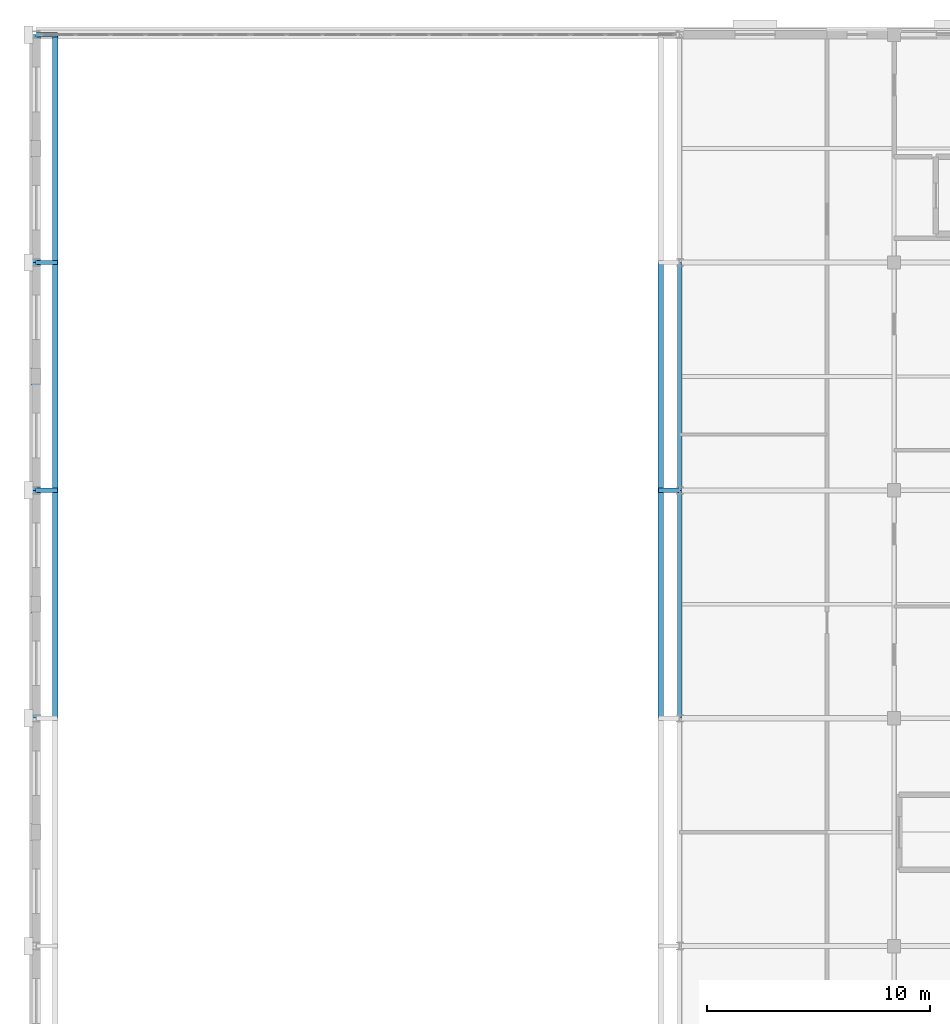
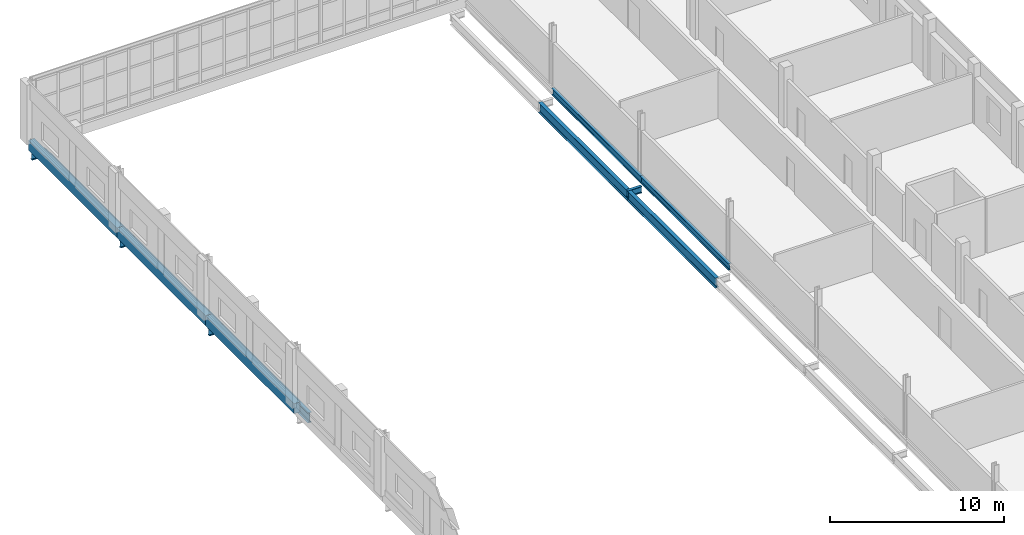
# One storey, part 54 of 170: 14 beams.
"""IFC4 building model written with IfcOpenShell, lengths in metres."""

import ifcopenshell
import ifcopenshell.guid

model = None  # the IFC model being written
_history = None  # IfcOwnerHistory: only IFC2X3 demands one
_inside = {}  # id of a spatial element -> (the spatial element, [elements in it])
_under = {}  # id of a project, library or spatial element -> (it, [spatial elements below it])
_declared = {}  # id of a project -> (the project, [libraries it declares])
_typed = {}  # id of a type object -> (the type object, [elements of that type])
_made_of = {}  # id of a material, layer set ... -> (it, [elements and type objects made of it])


def new_model(schema):
    """Start an empty IFC model of exactly this schema.

    Asked for "IFC4X3", IfcOpenShell would pick the latest addendum, in which some entities
    have other attributes; the version numbers below select the first issue.
    IFC2X3 requires an IfcOwnerHistory on every rooted entity: one is made here for all.
    """
    global model, _history
    if schema == "IFC4X3":
        model = ifcopenshell.file(schema_version=(4, 3, 0, 0))
    else:
        model = ifcopenshell.file(schema=schema)
    _inside.clear()
    _under.clear()
    _declared.clear()
    _typed.clear()
    _made_of.clear()
    _history = None
    if model.schema == "IFC2X3":
        org = make("IfcOrganization", Name="unknown")
        user = make(
            "IfcPersonAndOrganization",
            ThePerson=make("IfcPerson", FamilyName="unknown"),
            TheOrganization=org,
        )
        app = make(
            "IfcApplication",
            ApplicationDeveloper=org,
            Version="unknown",
            ApplicationFullName="unknown",
            ApplicationIdentifier="unknown",
        )
        _history = make(
            "IfcOwnerHistory",
            OwningUser=user,
            OwningApplication=app,
            ChangeAction="ADDED",
            CreationDate=0,
        )
    return model


def make(cls, **values):
    """One entity of the class cls with the attributes given. An attribute that is None is left unset."""
    return model.create_entity(
        cls, **{name: value for name, value in values.items() if value is not None}
    )


def rooted(cls, **values):
    """An entity with a GlobalId (a new one), such as an element, a storey or a relation."""
    return make(cls, GlobalId=ifcopenshell.guid.new(), OwnerHistory=_history, **values)


def si_unit(unit_type, name, prefix=None):
    """IfcSIUnit, for example si_unit("LENGTHUNIT", "METRE", prefix="MILLI")."""
    return make("IfcSIUnit", UnitType=unit_type, Prefix=prefix, Name=name)


def assignment(units):
    """IfcUnitAssignment: the units of a project."""
    return None if units is None else make("IfcUnitAssignment", Units=units)


def point(xyz):
    """IfcCartesianPoint."""
    return None if xyz is None else make("IfcCartesianPoint", Coordinates=xyz)


def direction(xyz):
    """IfcDirection."""
    return None if xyz is None else make("IfcDirection", DirectionRatios=xyz)


def frame(location, z_axis=None, x_axis=None):
    """IfcAxis2Placement3D, a coordinate frame: its origin and axes. An axis left out is left unset."""
    return make(
        "IfcAxis2Placement3D",
        Location=point(location),
        Axis=direction(z_axis),
        RefDirection=direction(x_axis),
    )


def frame_2d(location, x_axis=None):
    """IfcAxis2Placement2D, a coordinate frame in the plane: its origin and x axis."""
    return make(
        "IfcAxis2Placement2D", Location=point(location), RefDirection=direction(x_axis)
    )


def origin():
    """The frame at (0, 0, 0) with its axes left unset."""
    return frame((0.0, 0.0, 0.0))


def origin_2d():
    """The frame at (0, 0) in the plane with its x axis left unset."""
    return frame_2d((0.0, 0.0))


def place(relative_to, where):
    """IfcLocalPlacement: puts the frame where relative to a parent placement (None: the world)."""
    return make(
        "IfcLocalPlacement", PlacementRelTo=relative_to, RelativePlacement=where
    )


def context(
    kind, dimensions, precision=None, world=None, true_north=None, identifier=None
):
    """IfcGeometricRepresentationContext, for example the 3D "Model" context."""
    return make(
        "IfcGeometricRepresentationContext",
        ContextIdentifier=identifier,
        ContextType=kind,
        CoordinateSpaceDimension=dimensions,
        Precision=precision,
        WorldCoordinateSystem=world,
        TrueNorth=true_north,
    )


def subcontext(parent, identifier, kind, view, scale=None):
    """IfcGeometricRepresentationSubContext, for example "Body" below "Model"."""
    return make(
        "IfcGeometricRepresentationSubContext",
        ContextIdentifier=identifier,
        ContextType=kind,
        ParentContext=parent,
        TargetScale=scale,
        TargetView=view,
    )


def project(units=None, contexts=None):
    """IfcProject with its units and contexts."""
    return rooted(
        "IfcProject",
        Name="project",
        RepresentationContexts=contexts,
        UnitsInContext=assignment(units),
    )


def spatial(cls, under=None, at=None, **own):
    """A site, building, storey or space (cls), placed at a placement, below another one or the project."""
    s = rooted(cls, ObjectPlacement=at, **own)
    if under is not None:
        _under.setdefault(under.id(), (under, []))[1].append(s)
    return s


def profile(cls, at=None, kind="AREA", **sizes):
    """A parametric profile (cls). Its sizes go by their IFC names, for example OverallWidth=200.0."""
    return make(cls, ProfileType=kind, Position=at, **sizes)


def rectangle(**sizes):
    """IfcRectangleProfileDef."""
    return profile("IfcRectangleProfileDef", **sizes)


def i_section(**sizes):
    """IfcIShapeProfileDef."""
    return profile("IfcIShapeProfileDef", **sizes)


def extrude(swept, where, along, depth):
    """IfcExtrudedAreaSolid: the profile swept, set in the frame where, extruded along a direction by depth."""
    return make(
        "IfcExtrudedAreaSolid",
        SweptArea=swept,
        Position=where,
        ExtrudedDirection=direction(along),
        Depth=depth,
    )


def shape(context_of_items, identifier, shape_type, items):
    """IfcShapeRepresentation: the items that make up one representation, for example the "Body"."""
    return make(
        "IfcShapeRepresentation",
        ContextOfItems=context_of_items,
        RepresentationIdentifier=identifier,
        RepresentationType=shape_type,
        Items=items,
    )


def material(Name=None, Category=None):
    """IfcMaterial."""
    return make("IfcMaterial", Name=Name, Category=Category)


def material_profile(
    of_material, cross_section, Name=None, Category=None, Priority=None
):
    """IfcMaterialProfile: a cross section and its material."""
    return make(
        "IfcMaterialProfile",
        Name=Name,
        Material=of_material,
        Profile=cross_section,
        Priority=Priority,
        Category=Category,
    )


def profile_set(profiles, Name=None, composite=None):
    """IfcMaterialProfileSet."""
    return make(
        "IfcMaterialProfileSet",
        Name=Name,
        MaterialProfiles=profiles,
        CompositeProfile=composite,
    )


def made_of(thing, what):
    """Note that an element or type object is made of a material, layer set ...; save() writes the relation."""
    if what is not None:
        _made_of.setdefault(what.id(), (what, []))[1].append(thing)
    return thing


def type_object(cls, material=None, **own):
    """A type object (cls), such as IfcWallType, which elements share."""
    return made_of(rooted(cls, **own), material)


def element(
    cls,
    number,
    at=None,
    inside=None,
    cuts=None,
    type_object=None,
    material=None,
    context=None,
    identifier="Body",
    shape_type=None,
    held_by="IfcProductDefinitionShape",
    body=None,
    shapes=None,
    **own,
):
    """One element of the class cls, such as IfcWall. Its Tag is "e" and its number.

    at: its placement. inside: the storey or other place that contains it. cuts: it is an
    opening in that element (IfcRelVoidsElement). A single representation is given by context,
    identifier, shape_type and body (its items); several are given by shapes. held_by: the class
    of the entity that holds the representations. save() writes the other relations.
    """
    e = rooted(cls, Tag="e%d" % number, ObjectPlacement=at, **own)
    if body is not None:
        shapes = [shape(context, identifier, shape_type, body)]
    if shapes is not None:
        e.Representation = make(held_by, Representations=shapes)
    if inside is not None:
        _inside.setdefault(inside.id(), (inside, []))[1].append(e)
    if cuts is not None:
        rooted(
            "IfcRelVoidsElement", RelatingBuildingElement=cuts, RelatedOpeningElement=e
        )
    if type_object is not None:
        _typed.setdefault(type_object.id(), (type_object, []))[1].append(e)
    return made_of(e, material)


def aggregate(whole, parts):
    """IfcRelAggregates: a whole, such as a stair, and the parts it consists of."""
    return rooted("IfcRelAggregates", RelatingObject=whole, RelatedObjects=parts)


def save(model, path):
    """Write the relations noted so far, then the file.

    IfcRelAggregates (storeys below a building ...), IfcRelContainedInSpatialStructure (elements
    in a storey), IfcRelDefinesByType, IfcRelAssociatesMaterial and IfcRelDeclares: one each for
    every whole, place, type object, material and project.
    """
    for whole, parts in _under.values():
        aggregate(whole, parts)
    for where, things in _inside.values():
        rooted(
            "IfcRelContainedInSpatialStructure",
            RelatedElements=things,
            RelatingStructure=where,
        )
    for kind, things in _typed.values():
        rooted("IfcRelDefinesByType", RelatedObjects=things, RelatingType=kind)
    for what, things in _made_of.values():
        rooted("IfcRelAssociatesMaterial", RelatedObjects=things, RelatingMaterial=what)
    for by, libraries in _declared.values():
        rooted("IfcRelDeclares", RelatingContext=by, RelatedDefinitions=libraries)
    model.write(path)


model = new_model("IFC4")

# Units and contexts
model_context = context("Model", 3, precision=1e-05, world=origin(), true_north=direction((0.0, 1.0)))
body_context = subcontext(model_context, "Body", "Model", "MODEL_VIEW")
ifc_project = project(units=[si_unit("LENGTHUNIT", "METRE"), si_unit("AREAUNIT", "SQUARE_METRE"), si_unit("VOLUMEUNIT", "CUBIC_METRE"), si_unit("PLANEANGLEUNIT", "RADIAN"), si_unit("MASSUNIT", "GRAM", prefix="KILO")], contexts=[model_context])

# Site, building, storey
site_placement = place(None, origin())
site = spatial("IfcSite", under=ifc_project, at=site_placement, CompositionType="ELEMENT")
building_placement = place(site_placement, origin())
building = spatial("IfcBuilding", under=site, at=building_placement, Name="Vondelvale Polytechnic", CompositionType="ELEMENT")
storey_placement = place(building_placement, frame((0.0, 0.0, 5.39990234375)))
storey = spatial("IfcBuildingStorey", under=building, at=storey_placement, Name="L01", CompositionType="ELEMENT", Elevation=5.39990234375)

# Beams
ifc_material_1 = material(Name="Steel 300PLUS (fy = 300 MPa)", Category="steel")
ifc_material_profile_1 = material_profile(ifc_material_1, i_section(OverallWidth=0.18994140625, OverallDepth=0.45703125, WebThickness=0.009033203125, FlangeThickness=0.014404296875, FilletRadius=0.011474609375, at=origin_2d()), Name="460UB74.6")
ifc_profile_set_1 = profile_set([ifc_material_profile_1], Name="Steel 300PLUS (fy = 300 MPa)")
beam_type_1 = type_object("IfcBeamType", Name="BM-UB460", PredefinedType="BEAM", material=ifc_profile_set_1)
for number, where, z_axis, x_axis, name in (
    (1, (28.800048828125, 91.800048828125, -0.50830078125), (0.0, 1.0, 0.0), (-1.0, 0.0, 0.0), "L01 B B-13"),
    (2, (28.800048828125, 102.0, -0.50830078125), (0.0, 1.0, 0.0), (-1.0, 0.0, 0.0), "L01 B B-13"),
):
    element("IfcBeam", number, at=place(storey_placement, frame(where, z_axis=z_axis, x_axis=x_axis)), inside=storey, type_object=beam_type_1, Name=name, PredefinedType="BEAM", context=body_context, shape_type="SweptSolid", body=[
        extrude(i_section(OverallWidth=0.18994140625, OverallDepth=0.45703125, WebThickness=0.009033203125, FlangeThickness=0.014404296875, FilletRadius=0.011474609375, at=origin_2d()), origin(), (0.0, 0.0, 1.0), 10.199951171875),
    ])
ifc_material_profile_2 = material_profile(ifc_material_1, i_section(OverallWidth=0.19091796875, OverallDepth=0.4599609375, WebThickness=0.010009765625, FlangeThickness=0.01611328125, FilletRadius=0.011474609375, at=origin_2d()), Name="460UB82.1")
ifc_profile_set_2 = profile_set([ifc_material_profile_2], Name="Steel 300PLUS (fy = 300 MPa)")
beam_type_2 = type_object("IfcBeamType", Name="BM-UB460H", PredefinedType="BEAM", material=ifc_profile_set_2)
for number, where, z_axis, x_axis, name in (
    (3, (0.0, 102.0, -1.2099609375), (1.0, 0.0, 0.0), (0.0, 1.0, 0.0), "L01 CRB B-12"),
    (4, (27.85009765625, 102.0, -1.2099609375), (1.0, 0.0, 0.0), (0.0, 1.0, 0.0), "L01 CRB B-12"),
    (5, (0.0, 112.199951171875, -1.2099609375), (1.0, 0.0, 0.0), (0.0, 1.0, 0.0), "L01 CRB B-12"),
    (6, (0.0, 122.39990234375, -1.2099609375), (1.0, 0.0, 0.0), (0.0, 1.0, 0.0), "L01 CRB B-12"),
):
    element("IfcBeam", number, at=place(storey_placement, frame(where, z_axis=z_axis, x_axis=x_axis)), inside=storey, type_object=beam_type_2, Name=name, PredefinedType="BEAM", context=body_context, shape_type="SweptSolid", body=[
        extrude(i_section(OverallWidth=0.19091796875, OverallDepth=0.4599609375, WebThickness=0.010009765625, FlangeThickness=0.01611328125, FilletRadius=0.011474609375, at=origin_2d()), origin(), (0.0, 0.0, 1.0), 0.949951171875),
    ])
ifc_material_profile_3 = material_profile(ifc_material_1, i_section(OverallWidth=0.25, OverallDepth=0.699951171875, WebThickness=0.010009765625, FlangeThickness=0.01611328125, FilletRadius=0.011962890625, at=origin_2d()), Name="700WB130")
ifc_profile_set_3 = profile_set([ifc_material_profile_3], Name="Steel 300PLUS (fy = 300 MPa)")
beam_type_3 = type_object("IfcBeamType", Name="BM-WB700", PredefinedType="BEAM", material=ifc_profile_set_3)
for number, where, z_axis, x_axis, name in (
    (7, (0.85009765625, 91.800048828125, -1.329833984375), (0.0, 1.0, 0.0), (-1.0, 0.0, 0.0), "L01 CRN B-08"),
    (8, (27.949951171875, 91.800048828125, -1.329833984375), (0.0, 1.0, 0.0), (-1.0, 0.0, 0.0), "L01 CRN B-08"),
    (9, (0.85009765625, 102.0, -1.329833984375), (0.0, 1.0, 0.0), (-1.0, 0.0, 0.0), "L01 CRN B-08"),
    (10, (27.949951171875, 102.0, -1.329833984375), (0.0, 1.0, 0.0), (-1.0, 0.0, 0.0), "L01 CRN B-08"),
    (11, (0.85009765625, 112.199951171875, -1.329833984375), (0.0, 1.0, 0.0), (-1.0, 0.0, 0.0), "L01 CRN B-08"),
):
    element("IfcBeam", number, at=place(storey_placement, frame(where, z_axis=z_axis, x_axis=x_axis)), inside=storey, type_object=beam_type_3, Name=name, PredefinedType="BEAM", context=body_context, shape_type="SweptSolid", body=[
        extrude(i_section(OverallWidth=0.25, OverallDepth=0.699951171875, WebThickness=0.010009765625, FlangeThickness=0.01611328125, FilletRadius=0.011962890625, at=origin_2d()), origin(), (0.0, 0.0, 1.0), 10.199951171875),
    ])
ifc_material_2 = material(Name="Precast concrete N40 (f'c = 40 MPa)", Category="concrete")
ifc_material_profile_4 = material_profile(ifc_material_2, rectangle(XDim=0.39990234375, YDim=0.699951171875, at=origin_2d()), Name="RC-SPN-400x700")
ifc_profile_set_4 = profile_set([ifc_material_profile_4], Name="Precast concrete N40 (f'c = 40 MPa)")
beam_type_4 = type_object("IfcBeamType", Name="SPN-PRE400x700", PredefinedType="SPANDREL", material=ifc_profile_set_4)
for number, where, z_axis, x_axis, name in (
    (12, (0.0, 91.800048828125, -0.349853515625), (0.0, 1.0, 0.0), (-1.0, 0.0, 0.0), "L01 SP SP-01"),
    (13, (0.0, 102.0, -0.349853515625), (0.0, 1.0, 0.0), (-1.0, 0.0, 0.0), "L01 SP SP-01"),
    (14, (0.0, 112.199951171875, -0.349853515625), (0.0, 1.0, 0.0), (-1.0, 0.0, 0.0), "L01 SP SP-01"),
):
    element("IfcBeam", number, at=place(storey_placement, frame(where, z_axis=z_axis, x_axis=x_axis)), inside=storey, type_object=beam_type_4, Name=name, PredefinedType="SPANDREL", context=body_context, shape_type="SweptSolid", body=[
        extrude(rectangle(XDim=0.39990234375, YDim=0.699951171875, at=origin_2d()), origin(), (0.0, 0.0, 1.0), 10.199951171875),
    ])

save(model, "model.ifc")
